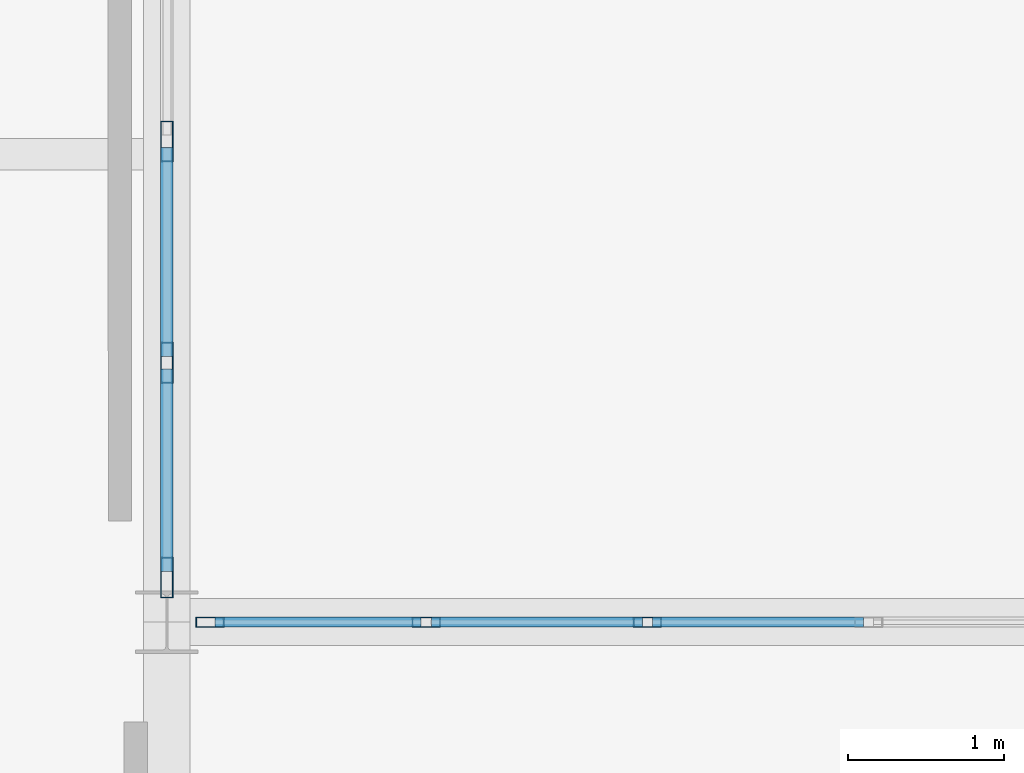
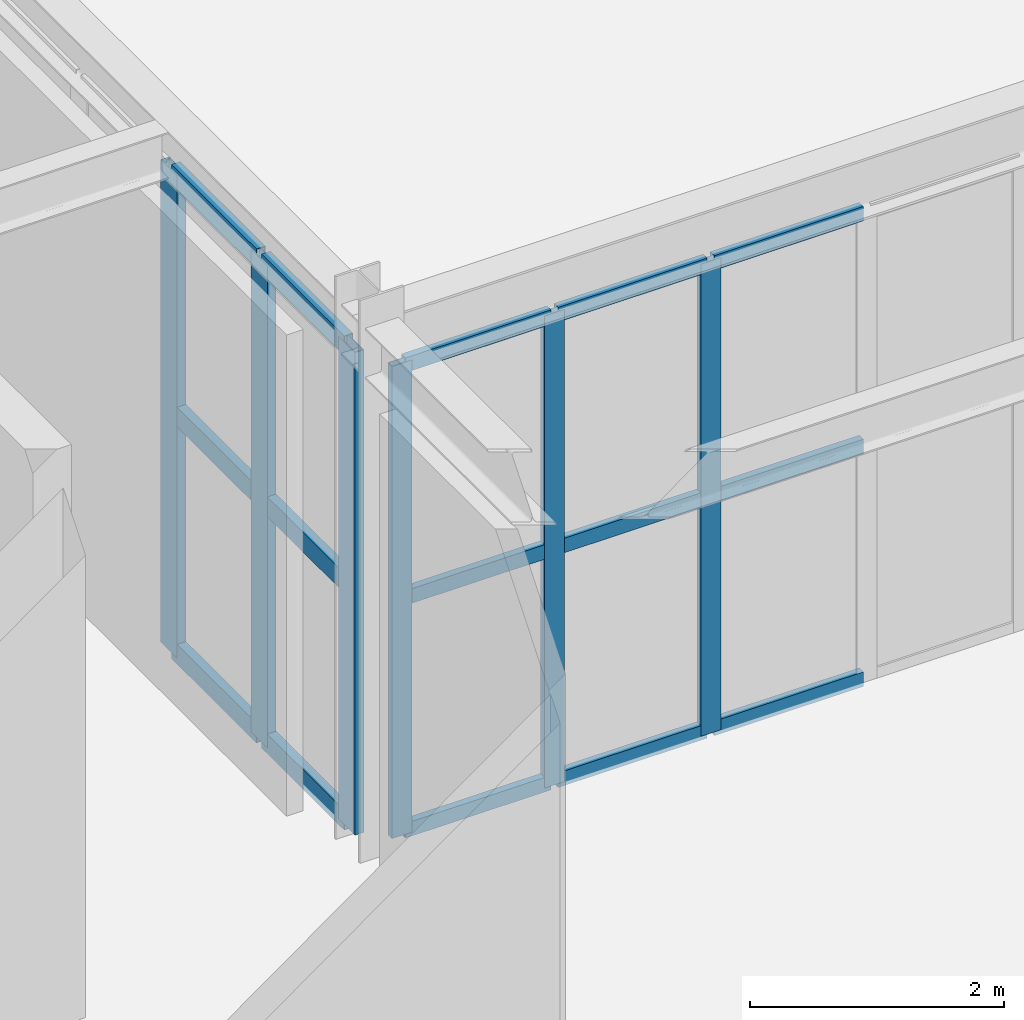
# One storey, part 31 of 140: 21 members, 2 elements without a shape of their own.
"""IFC4 building model written with IfcOpenShell, lengths in metres."""

from ifc_helpers import new_model, si_unit, direction, frame, origin, origin_2d, place, context, subcontext, project, spatial, hollow_rectangle, extrude, material, material_profile, profile_set, type_object, element, aggregate, save


model = new_model("IFC4")

# Units and contexts
model_context = context("Model", 3, precision=1e-05, world=origin(), true_north=direction((0.0, 1.0)))
body_context = subcontext(model_context, "Body", "Model", "MODEL_VIEW")
ifc_project = project(units=[si_unit("LENGTHUNIT", "METRE"), si_unit("AREAUNIT", "SQUARE_METRE"), si_unit("VOLUMEUNIT", "CUBIC_METRE"), si_unit("PLANEANGLEUNIT", "RADIAN"), si_unit("MASSUNIT", "GRAM", prefix="KILO")], contexts=[model_context])

# Site, building, storey
site_placement = place(None, origin())
site = spatial("IfcSite", under=ifc_project, at=site_placement, CompositionType="ELEMENT")
building_placement = place(site_placement, origin())
building = spatial("IfcBuilding", under=site, at=building_placement, Name="Haizhuo Lancet Aquarium", CompositionType="ELEMENT")
storey_placement = place(building_placement, origin())
storey = spatial("IfcBuildingStorey", under=building, at=storey_placement, Name="L00", CompositionType="ELEMENT", Elevation=0.0)

# Curtain wall, members
ifc_material = material(Name="Aluminium 6063-T6", Category="aluminium")
curtain_wall_type_1 = type_object("IfcCurtainWallType", Name="CWO-8510x4530", PredefinedType="NOTDEFINED", material=ifc_material)
curtain_wall_1_placement = place(storey_placement, origin())
curtain_wall_1 = element("IfcCurtainWall", 1, at=curtain_wall_1_placement, inside=storey, type_object=curtain_wall_type_1, Name="L00 curtain wall CW-V4-L00-085", PredefinedType="NOTDEFINED")
ifc_material_profile_1 = material_profile(ifc_material, hollow_rectangle(XDim=0.06494140625, YDim=0.179931640625, WallThickness=0.00390625, at=origin_2d()), Name="ALU-M 65x180x4")
ifc_profile_set_1 = profile_set([ifc_material_profile_1], Name="Aluminium 6063-T6")
member_type_1 = type_object("IfcMemberType", Name="CW-MUL-1", PredefinedType="MULLION", material=ifc_profile_set_1)
member_1_placement = place(storey_placement, frame((9.277099609375, -36.0, 0.0), z_axis=(0.0, 0.0, 1.0), x_axis=(0.0, 1.0, 0.0)))
member_1 = element("IfcMember", 2, at=member_1_placement, type_object=member_type_1, Name="CWO-85x45 mullion 1", PredefinedType="MULLION", context=body_context, shape_type="SweptSolid", body=[
    extrude(hollow_rectangle(XDim=0.06494140625, YDim=0.179931640625, WallThickness=0.00390625, at=origin_2d()), origin(), (0.0, 0.0, 1.0), 4.531982421875),
])
member_2_placement = place(storey_placement, frame((10.6630859375, -36.0, 0.0), z_axis=(0.0, 0.0, 1.0), x_axis=(0.0, 1.0, 0.0)))
member_2 = element("IfcMember", 3, at=member_2_placement, type_object=member_type_1, Name="CWO-85x45 mullion 2", PredefinedType="MULLION", context=body_context, shape_type="SweptSolid", body=[
    extrude(hollow_rectangle(XDim=0.06494140625, YDim=0.179931640625, WallThickness=0.00390625, at=origin_2d()), origin(), (0.0, 0.0, 1.0), 4.531982421875),
])
member_3_placement = place(storey_placement, frame((12.08203125, -36.0, 0.0), z_axis=(0.0, 0.0, 1.0), x_axis=(0.0, 1.0, 0.0)))
member_3 = element("IfcMember", 4, at=member_3_placement, type_object=member_type_1, Name="CWO-85x45 mullion 3", PredefinedType="MULLION", context=body_context, shape_type="SweptSolid", body=[
    extrude(hollow_rectangle(XDim=0.06494140625, YDim=0.179931640625, WallThickness=0.00390625, at=origin_2d()), origin(), (0.0, 0.0, 1.0), 4.531982421875),
])

curtain_wall_type_2 = type_object("IfcCurtainWallType", Name="CWO-8510x4630", PredefinedType="NOTDEFINED", material=ifc_material)
curtain_wall_2_placement = place(storey_placement, origin())
curtain_wall_2 = element("IfcCurtainWall", 5, at=curtain_wall_2_placement, inside=storey, type_object=curtain_wall_type_2, Name="L00 curtain wall CW-V4-L00-084", PredefinedType="NOTDEFINED")
ifc_material_profile_2 = material_profile(ifc_material, hollow_rectangle(XDim=0.080078125, YDim=0.260009765625, WallThickness=0.0048828125, at=origin_2d()), Name="ALU-M 80x260x5")
ifc_profile_set_2 = profile_set([ifc_material_profile_2], Name="Aluminium 6063-T6")
member_type_2 = type_object("IfcMemberType", Name="CW-MUL-3", PredefinedType="MULLION", material=ifc_profile_set_2)
member_4_placement = place(storey_placement, frame((9.0, -32.91796875, 0.0), z_axis=(0.0, 0.0, 1.0), x_axis=(1.0, 0.0, 0.0)))
member_4 = element("IfcMember", 6, at=member_4_placement, type_object=member_type_2, Name="CWO-85x46 mullion 5", PredefinedType="MULLION", context=body_context, shape_type="SweptSolid", body=[
    extrude(hollow_rectangle(XDim=0.080078125, YDim=0.260009765625, WallThickness=0.0048828125, at=origin_2d()), origin(), (0.0, 0.0, 1.0), 4.632080078125),
])
member_5_placement = place(storey_placement, frame((9.0, -34.3369140625, 0.0), z_axis=(0.0, 0.0, 1.0), x_axis=(1.0, 0.0, 0.0)))
member_5 = element("IfcMember", 7, at=member_5_placement, type_object=member_type_2, Name="CWO-85x46 mullion 6", PredefinedType="MULLION", context=body_context, shape_type="SweptSolid", body=[
    extrude(hollow_rectangle(XDim=0.080078125, YDim=0.260009765625, WallThickness=0.0048828125, at=origin_2d()), origin(), (0.0, 0.0, 1.0), 4.632080078125),
])
member_6_placement = place(storey_placement, frame((9.0, -35.715087890625, 0.0), z_axis=(0.0, 0.0, 1.0), x_axis=(1.0, 0.0, 0.0)))
member_6 = element("IfcMember", 8, at=member_6_placement, type_object=member_type_2, Name="CWO-85x46 mullion 7", PredefinedType="MULLION", context=body_context, shape_type="SweptSolid", body=[
    extrude(hollow_rectangle(XDim=0.080078125, YDim=0.260009765625, WallThickness=0.0048828125, at=origin_2d()), origin(), (0.0, 0.0, 1.0), 4.632080078125),
])

# Member
ifc_material_profile_3 = material_profile(ifc_material, hollow_rectangle(XDim=0.06494140625, YDim=0.139892578125, WallThickness=0.00390625, at=origin_2d()), Name="ALU-T 65x140x4")
ifc_profile_set_3 = profile_set([ifc_material_profile_3], Name="Aluminium 6063-T6")
member_type_3 = type_object("IfcMemberType", Name="CW-TRN-1", PredefinedType="NOTDEFINED", material=ifc_profile_set_3)
member_7_placement = place(storey_placement, frame((9.31005859375, -36.0, 0.032958984375), z_axis=(1.0, 0.0, 0.0), x_axis=(0.0, 1.0, 0.0)))
member_7 = element("IfcMember", 9, at=member_7_placement, type_object=member_type_3, Name="CWO-85x45 transom 1.1", ObjectType="TRANSOM", PredefinedType="USERDEFINED", context=body_context, shape_type="SweptSolid", body=[
    extrude(hollow_rectangle(XDim=0.06494140625, YDim=0.139892578125, WallThickness=0.00390625, at=origin_2d()), origin(), (0.0, 0.0, 1.0), 1.321044921875),
])

member_8_placement = place(storey_placement, frame((9.31005859375, -36.0, 2.26611328125), z_axis=(1.0, 0.0, 0.0), x_axis=(0.0, 1.0, 0.0)))
member_8 = element("IfcMember", 10, at=member_8_placement, type_object=member_type_3, Name="CWO-85x45 transom 1.2", ObjectType="TRANSOM", PredefinedType="USERDEFINED", context=body_context, shape_type="SweptSolid", body=[
    extrude(hollow_rectangle(XDim=0.06494140625, YDim=0.139892578125, WallThickness=0.00390625, at=origin_2d()), origin(), (0.0, 0.0, 1.0), 1.321044921875),
])

member_9_placement = place(storey_placement, frame((9.31005859375, -36.0, 4.5), z_axis=(1.0, 0.0, 0.0), x_axis=(0.0, 1.0, 0.0)))
member_9 = element("IfcMember", 11, at=member_9_placement, type_object=member_type_3, Name="CWO-85x45 transom 1.3", ObjectType="TRANSOM", PredefinedType="USERDEFINED", context=body_context, shape_type="SweptSolid", body=[
    extrude(hollow_rectangle(XDim=0.06494140625, YDim=0.139892578125, WallThickness=0.00390625, at=origin_2d()), origin(), (0.0, 0.0, 1.0), 1.321044921875),
])

member_10_placement = place(storey_placement, frame((10.696044921875, -36.0, 0.032958984375), z_axis=(1.0, 0.0, 0.0), x_axis=(0.0, 1.0, 0.0)))
member_10 = element("IfcMember", 12, at=member_10_placement, type_object=member_type_3, Name="CWO-85x45 transom 2.1", ObjectType="TRANSOM", PredefinedType="USERDEFINED", context=body_context, shape_type="SweptSolid", body=[
    extrude(hollow_rectangle(XDim=0.06494140625, YDim=0.139892578125, WallThickness=0.00390625, at=origin_2d()), origin(), (0.0, 0.0, 1.0), 1.35302734375),
])

member_11_placement = place(storey_placement, frame((10.696044921875, -36.0, 2.26611328125), z_axis=(1.0, 0.0, 0.0), x_axis=(0.0, 1.0, 0.0)))
member_11 = element("IfcMember", 13, at=member_11_placement, type_object=member_type_3, Name="CWO-85x45 transom 2.2", ObjectType="TRANSOM", PredefinedType="USERDEFINED", context=body_context, shape_type="SweptSolid", body=[
    extrude(hollow_rectangle(XDim=0.06494140625, YDim=0.139892578125, WallThickness=0.00390625, at=origin_2d()), origin(), (0.0, 0.0, 1.0), 1.35302734375),
])

member_12_placement = place(storey_placement, frame((10.696044921875, -36.0, 4.5), z_axis=(1.0, 0.0, 0.0), x_axis=(0.0, 1.0, 0.0)))
member_12 = element("IfcMember", 14, at=member_12_placement, type_object=member_type_3, Name="CWO-85x45 transom 2.3", ObjectType="TRANSOM", PredefinedType="USERDEFINED", context=body_context, shape_type="SweptSolid", body=[
    extrude(hollow_rectangle(XDim=0.06494140625, YDim=0.139892578125, WallThickness=0.00390625, at=origin_2d()), origin(), (0.0, 0.0, 1.0), 1.35302734375),
])

member_13_placement = place(storey_placement, frame((12.114013671875, -36.0, 0.032958984375), z_axis=(1.0, 0.0, 0.0), x_axis=(0.0, 1.0, 0.0)))
member_13 = element("IfcMember", 15, at=member_13_placement, type_object=member_type_3, Name="CWO-85x45 transom 3.1", ObjectType="TRANSOM", PredefinedType="USERDEFINED", context=body_context, shape_type="SweptSolid", body=[
    extrude(hollow_rectangle(XDim=0.06494140625, YDim=0.139892578125, WallThickness=0.00390625, at=origin_2d()), origin(), (0.0, 0.0, 1.0), 1.35302734375),
])

member_14_placement = place(storey_placement, frame((12.114013671875, -36.0, 2.26611328125), z_axis=(1.0, 0.0, 0.0), x_axis=(0.0, 1.0, 0.0)))
member_14 = element("IfcMember", 16, at=member_14_placement, type_object=member_type_3, Name="CWO-85x45 transom 3.2", ObjectType="TRANSOM", PredefinedType="USERDEFINED", context=body_context, shape_type="SweptSolid", body=[
    extrude(hollow_rectangle(XDim=0.06494140625, YDim=0.139892578125, WallThickness=0.00390625, at=origin_2d()), origin(), (0.0, 0.0, 1.0), 1.35302734375),
])

member_15_placement = place(storey_placement, frame((12.114013671875, -36.0, 4.5), z_axis=(1.0, 0.0, 0.0), x_axis=(0.0, 1.0, 0.0)))
member_15 = element("IfcMember", 17, at=member_15_placement, type_object=member_type_3, Name="CWO-85x45 transom 3.3", ObjectType="TRANSOM", PredefinedType="USERDEFINED", context=body_context, shape_type="SweptSolid", body=[
    extrude(hollow_rectangle(XDim=0.06494140625, YDim=0.139892578125, WallThickness=0.00390625, at=origin_2d()), origin(), (0.0, 0.0, 1.0), 1.35302734375),
])

aggregate(curtain_wall_1, [member_1, member_2, member_3, member_7, member_8, member_9, member_10, member_11, member_12, member_13, member_14, member_15])

ifc_material_profile_4 = material_profile(ifc_material, hollow_rectangle(XDim=0.080078125, YDim=0.18994140625, WallThickness=0.0048828125, at=origin_2d()), Name="ALU-T 80x190x5")
ifc_profile_set_4 = profile_set([ifc_material_profile_4], Name="Aluminium 6063-T6")
member_type_4 = type_object("IfcMemberType", Name="CW-TRN-3", PredefinedType="NOTDEFINED", material=ifc_profile_set_4)
member_16_placement = place(storey_placement, frame((9.0, -32.9580078125, 0.0400390625), z_axis=(0.0, -1.0, 0.0), x_axis=(1.0, 0.0, 0.0)))
member_16 = element("IfcMember", 18, at=member_16_placement, type_object=member_type_4, Name="CWO-85x46 transom 5.1", ObjectType="TRANSOM", PredefinedType="USERDEFINED", context=body_context, shape_type="SweptSolid", body=[
    extrude(hollow_rectangle(XDim=0.080078125, YDim=0.18994140625, WallThickness=0.0048828125, at=origin_2d()), origin(), (0.0, 0.0, 1.0), 1.339111328125),
])

member_17_placement = place(storey_placement, frame((9.0, -32.9580078125, 2.31591796875), z_axis=(0.0, -1.0, 0.0), x_axis=(1.0, 0.0, 0.0)))
member_17 = element("IfcMember", 19, at=member_17_placement, type_object=member_type_4, Name="CWO-85x46 transom 5.2", ObjectType="TRANSOM", PredefinedType="USERDEFINED", context=body_context, shape_type="SweptSolid", body=[
    extrude(hollow_rectangle(XDim=0.080078125, YDim=0.18994140625, WallThickness=0.0048828125, at=origin_2d()), origin(), (0.0, 0.0, 1.0), 1.339111328125),
])

member_18_placement = place(storey_placement, frame((9.0, -32.9580078125, 4.592041015625), z_axis=(0.0, -1.0, 0.0), x_axis=(1.0, 0.0, 0.0)))
member_18 = element("IfcMember", 20, at=member_18_placement, type_object=member_type_4, Name="CWO-85x46 transom 5.3", ObjectType="TRANSOM", PredefinedType="USERDEFINED", context=body_context, shape_type="SweptSolid", body=[
    extrude(hollow_rectangle(XDim=0.080078125, YDim=0.18994140625, WallThickness=0.0048828125, at=origin_2d()), origin(), (0.0, 0.0, 1.0), 1.339111328125),
])

member_19_placement = place(storey_placement, frame((9.0, -34.376953125, 0.0400390625), z_axis=(0.0, -1.0, 0.0), x_axis=(1.0, 0.0, 0.0)))
member_19 = element("IfcMember", 21, at=member_19_placement, type_object=member_type_4, Name="CWO-85x46 transom 6.1", ObjectType="TRANSOM", PredefinedType="USERDEFINED", context=body_context, shape_type="SweptSolid", body=[
    extrude(hollow_rectangle(XDim=0.080078125, YDim=0.18994140625, WallThickness=0.0048828125, at=origin_2d()), origin(), (0.0, 0.0, 1.0), 1.298095703125),
])

member_20_placement = place(storey_placement, frame((9.0, -34.376953125, 2.31591796875), z_axis=(0.0, -1.0, 0.0), x_axis=(1.0, 0.0, 0.0)))
member_20 = element("IfcMember", 22, at=member_20_placement, type_object=member_type_4, Name="CWO-85x46 transom 6.2", ObjectType="TRANSOM", PredefinedType="USERDEFINED", context=body_context, shape_type="SweptSolid", body=[
    extrude(hollow_rectangle(XDim=0.080078125, YDim=0.18994140625, WallThickness=0.0048828125, at=origin_2d()), origin(), (0.0, 0.0, 1.0), 1.298095703125),
])

member_21_placement = place(storey_placement, frame((9.0, -34.376953125, 4.592041015625), z_axis=(0.0, -1.0, 0.0), x_axis=(1.0, 0.0, 0.0)))
member_21 = element("IfcMember", 23, at=member_21_placement, type_object=member_type_4, Name="CWO-85x46 transom 6.3", ObjectType="TRANSOM", PredefinedType="USERDEFINED", context=body_context, shape_type="SweptSolid", body=[
    extrude(hollow_rectangle(XDim=0.080078125, YDim=0.18994140625, WallThickness=0.0048828125, at=origin_2d()), origin(), (0.0, 0.0, 1.0), 1.298095703125),
])

aggregate(curtain_wall_2, [member_4, member_5, member_6, member_16, member_17, member_18, member_19, member_20, member_21])

save(model, "model.ifc")
